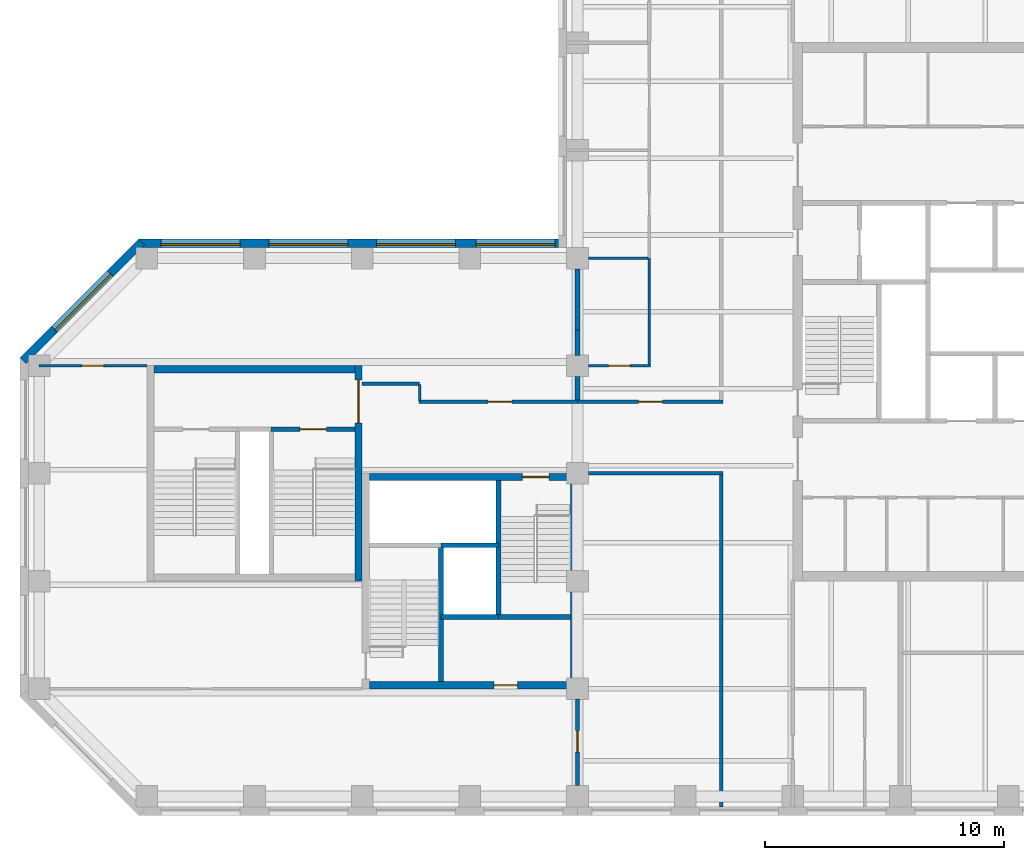
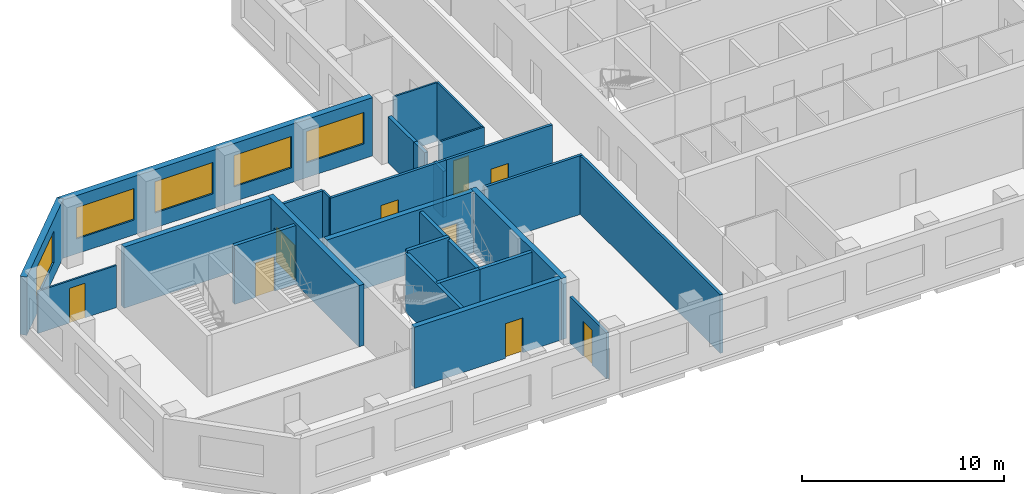
# One storey, part 3 of 10: 27 walls, 9 doors, 5 windows, 14 openings.
"""IFC4 building model written with IfcOpenShell, lengths in metres."""

from ifc_helpers import new_model, si_unit, direction, frame, frame_2d, origin, place, context, subcontext, project, spatial, rectangle, extrude, material, layer, layer_set, constituent, constituent_set, type_object, element, fill, save


model = new_model("IFC4")

# Units and contexts
model_context = context("Model", 3, precision=1e-05, world=origin(), true_north=direction((0.0, 1.0)))
body_context = subcontext(model_context, "Body", "Model", "MODEL_VIEW")
ifc_project = project(units=[si_unit("LENGTHUNIT", "METRE"), si_unit("AREAUNIT", "SQUARE_METRE"), si_unit("VOLUMEUNIT", "CUBIC_METRE"), si_unit("PLANEANGLEUNIT", "RADIAN"), si_unit("MASSUNIT", "GRAM", prefix="KILO")], contexts=[model_context])

# Site, building, storey
site_placement = place(None, origin())
site = spatial("IfcSite", under=ifc_project, at=site_placement, CompositionType="ELEMENT")
building_placement = place(site_placement, origin())
building = spatial("IfcBuilding", under=site, at=building_placement, Name="Quoin Convention Tower", CompositionType="ELEMENT")
storey_placement = place(building_placement, frame((0.0, 0.0, 256.300048828125)))
storey = spatial("IfcBuildingStorey", under=building, at=storey_placement, Name="L67", CompositionType="ELEMENT", Elevation=256.300048828125)

# Wall, openings, windows
ifc_material_1 = material(Name="Brick masonry", Category="masonry")
ifc_layer_1 = layer(ifc_material_1, 0.35009765625)
ifc_layer_set_1 = layer_set([ifc_layer_1], Name="Brick masonry")
wall_type_1 = type_object("IfcWallType", Name="Brick facade wall", PredefinedType="STANDARD", material=ifc_layer_set_1)
wall_1_placement = place(storey_placement, frame((35.550048828125, 63.625, 0.0), z_axis=(0.0, 0.0, 1.0), x_axis=(-1.0, 0.0, 0.0)))
wall_1 = element("IfcWall", 1, at=wall_1_placement, inside=storey, type_object=wall_type_1, Name="fw-L67-36000_63000", PredefinedType="STANDARD", context=body_context, shape_type="SweptSolid", body=[
    extrude(rectangle(XDim=17.88134765625, YDim=0.35009765625, at=frame_2d((8.940673828125, 0.0))), origin(), (0.0, 0.0, 1.0), 3.52490234375),
])
opening_1_placement = place(wall_1_placement, frame((0.5, 0.0, 0.89990234375)))
opening_1 = element("IfcOpeningElement", 2, at=opening_1_placement, cuts=wall_1, Name="Opening W-02", PredefinedType="OPENING", context=body_context, shape_type="SweptSolid", body=[
    extrude(rectangle(XDim=3.300048828125, YDim=1.89990234375, at=frame_2d((1.64990234375, 0.949951171875))), frame((0.0, 0.18505859375, 0.0), z_axis=(0.0, -1.0, 0.0), x_axis=(1.0, 0.0, 0.0)), (0.0, 0.0, 1.0), 0.3701171875),
])
opening_2_placement = place(wall_1_placement, frame((4.64990234375, 0.0, 0.89990234375)))
opening_2 = element("IfcOpeningElement", 3, at=opening_2_placement, cuts=wall_1, Name="Opening W-02", PredefinedType="OPENING", context=body_context, shape_type="SweptSolid", body=[
    extrude(rectangle(XDim=3.300048828125, YDim=1.89990234375, at=frame_2d((1.64990234375, 0.949951171875))), frame((0.0, 0.18505859375, 0.0), z_axis=(0.0, -1.0, 0.0), x_axis=(1.0, 0.0, 0.0)), (0.0, 0.0, 1.0), 0.3701171875),
])
opening_3_placement = place(wall_1_placement, frame((9.14990234375, 0.0, 0.89990234375)))
opening_3 = element("IfcOpeningElement", 4, at=opening_3_placement, cuts=wall_1, Name="Opening W-02", PredefinedType="OPENING", context=body_context, shape_type="SweptSolid", body=[
    extrude(rectangle(XDim=3.300048828125, YDim=1.89990234375, at=frame_2d((1.64990234375, 0.949951171875))), frame((0.0, 0.18505859375, 0.0), z_axis=(0.0, -1.0, 0.0), x_axis=(1.0, 0.0, 0.0)), (0.0, 0.0, 1.0), 0.3701171875),
])
opening_4_placement = place(wall_1_placement, frame((13.64990234375, 0.0, 0.89990234375)))
opening_4 = element("IfcOpeningElement", 5, at=opening_4_placement, cuts=wall_1, Name="Opening W-02", PredefinedType="OPENING", context=body_context, shape_type="SweptSolid", body=[
    extrude(rectangle(XDim=3.300048828125, YDim=1.89990234375, at=frame_2d((1.64990234375, 0.949951171875))), frame((0.0, 0.18505859375, 0.0), z_axis=(0.0, -1.0, 0.0), x_axis=(1.0, 0.0, 0.0)), (0.0, 0.0, 1.0), 0.3701171875),
])
ifc_material_2 = material(Name="Aluminium", Category="aluminium")
ifc_constituent_1 = constituent(ifc_material_2, Name="Frame")
ifc_material_3 = material(Name="Insulated glass", Category="glass")
ifc_constituent_2 = constituent(ifc_material_3, Name="Glazing")
ifc_constituent_set = constituent_set(constituents=[ifc_constituent_1, ifc_constituent_2], Name="Aluminium")
window_type = type_object("IfcWindowType", Name="Office window", PartitioningType="DOUBLE_PANEL_VERTICAL", PredefinedType="WINDOW", material=ifc_constituent_set)
window_1_placement = place(opening_1_placement, origin())
window_1 = element("IfcWindow", 6, at=window_1_placement, inside=storey, type_object=window_type, Name="win-L67-33750_63625", OverallHeight=1.89990234375, OverallWidth=3.300048828125, PartitioningType="SINGLE_PANEL", PredefinedType="WINDOW", context=body_context, shape_type="SweptSolid", body=[
    extrude(rectangle(XDim=3.300048828125, YDim=1.89990234375, at=frame_2d((1.64990234375, 0.949951171875))), frame((0.0, 0.0849609375, 0.0), z_axis=(0.0, -1.0, 0.0), x_axis=(1.0, 0.0, 0.0)), (0.0, 0.0, 1.0), 0.06005859375),
])
fill(opening_1, window_1)
window_2_placement = place(opening_2_placement, origin())
window_2 = element("IfcWindow", 7, at=window_2_placement, inside=storey, type_object=window_type, Name="win-L67-29250_63625", OverallHeight=1.89990234375, OverallWidth=3.300048828125, PartitioningType="SINGLE_PANEL", PredefinedType="WINDOW", context=body_context, shape_type="SweptSolid", body=[
    extrude(rectangle(XDim=3.300048828125, YDim=1.89990234375, at=frame_2d((1.64990234375, 0.949951171875))), frame((0.0, 0.0849609375, 0.0), z_axis=(0.0, -1.0, 0.0), x_axis=(1.0, 0.0, 0.0)), (0.0, 0.0, 1.0), 0.06005859375),
])
fill(opening_2, window_2)
window_3_placement = place(opening_3_placement, origin())
window_3 = element("IfcWindow", 8, at=window_3_placement, inside=storey, type_object=window_type, Name="win-L67-24750_63625", OverallHeight=1.89990234375, OverallWidth=3.300048828125, PartitioningType="SINGLE_PANEL", PredefinedType="WINDOW", context=body_context, shape_type="SweptSolid", body=[
    extrude(rectangle(XDim=3.300048828125, YDim=1.89990234375, at=frame_2d((1.64990234375, 0.949951171875))), frame((0.0, 0.0849609375, 0.0), z_axis=(0.0, -1.0, 0.0), x_axis=(1.0, 0.0, 0.0)), (0.0, 0.0, 1.0), 0.06005859375),
])
fill(opening_3, window_3)
window_4_placement = place(opening_4_placement, origin())
window_4 = element("IfcWindow", 9, at=window_4_placement, inside=storey, type_object=window_type, Name="win-L67-20250_63625", OverallHeight=1.89990234375, OverallWidth=3.300048828125, PartitioningType="SINGLE_PANEL", PredefinedType="WINDOW", context=body_context, shape_type="SweptSolid", body=[
    extrude(rectangle(XDim=3.300048828125, YDim=1.89990234375, at=frame_2d((1.64990234375, 0.949951171875))), frame((0.0, 0.0849609375, 0.0), z_axis=(0.0, -1.0, 0.0), x_axis=(1.0, 0.0, 0.0)), (0.0, 0.0, 1.0), 0.06005859375),
])
fill(opening_4, window_4)

# Wall, opening, window
wall_2_placement = place(storey_placement, frame((17.79248046875, 63.67626953125, 0.0), z_axis=(0.0, 0.0, 1.0), x_axis=(-0.707106781187, -0.707106781187, 0.0)))
wall_2 = element("IfcWall", 10, at=wall_2_placement, inside=storey, type_object=wall_type_1, Name="fw-L67-18000_63000", PredefinedType="STANDARD", context=body_context, shape_type="SweptSolid", body=[
    extrude(rectangle(XDim=7.02685546875, YDim=0.35009765625, at=frame_2d((3.513427734375, 0.0))), origin(), (0.0, 0.0, 1.0), 3.52490234375),
])
opening_5_placement = place(wall_2_placement, frame((1.86328125, 0.0, 0.89990234375)))
opening_5 = element("IfcOpeningElement", 11, at=opening_5_placement, cuts=wall_2, Name="Opening W-02", PredefinedType="OPENING", context=body_context, shape_type="SweptSolid", body=[
    extrude(rectangle(XDim=3.300048828125, YDim=1.89990234375, at=frame_2d((1.64990234375, 0.949951171875))), frame((0.0, 0.18505859375, 0.0), z_axis=(0.0, -1.0, 0.0), x_axis=(1.0, 0.0, 0.0)), (0.0, 0.0, 1.0), 0.3701171875),
])
window_5_placement = place(opening_5_placement, origin())
window_5 = element("IfcWindow", 12, at=window_5_placement, inside=storey, type_object=window_type, Name="win-L67-15308_61192", OverallHeight=1.89990234375, OverallWidth=3.300048828125, PartitioningType="SINGLE_PANEL", PredefinedType="WINDOW", context=body_context, shape_type="SweptSolid", body=[
    extrude(rectangle(XDim=3.300048828125, YDim=1.89990234375, at=frame_2d((1.64990234375, 0.949951171875))), frame((0.0, 0.0849609375, 0.0), z_axis=(0.0, -1.0, 0.0), x_axis=(1.0, 0.0, 0.0)), (0.0, 0.0, 1.0), 0.06005859375),
])
fill(opening_5, window_5)

# Walls
ifc_material_4 = material(Name="Concrete C50", Category="concrete")
ifc_layer_2 = layer(ifc_material_4, 0.199951171875)
ifc_layer_set_2 = layer_set([ifc_layer_2], Name="Concrete C50")
wall_type_2 = type_object("IfcWallType", Name="Core shaft wall", PredefinedType="SOLIDWALL", material=ifc_layer_set_2)
wall_3_placement = place(storey_placement, frame((30.300048828125, 48.0, 0.0), z_axis=(0.0, 0.0, 1.0), x_axis=(1.0, 0.0, 0.0)))
element("IfcWall", 13, at=wall_3_placement, inside=storey, type_object=wall_type_2, Name="cr-P2-L67-h3000_3300", PredefinedType="SOLIDWALL", context=body_context, shape_type="SweptSolid", body=[
    extrude(rectangle(XDim=2.39990234375, YDim=0.199951171875, at=frame_2d((1.199951171875, 0.0))), origin(), (0.0, 0.0, 1.0), 3.550048828125),
])
wall_4_placement = place(storey_placement, frame((32.699951171875, 48.0, 0.0), z_axis=(0.0, 0.0, 1.0), x_axis=(1.0, 0.0, 0.0)))
element("IfcWall", 14, at=wall_4_placement, inside=storey, type_object=wall_type_2, Name="cr-P2-L67-h3000_5700", PredefinedType="SOLIDWALL", context=body_context, shape_type="SweptSolid", body=[
    extrude(rectangle(XDim=3.0, YDim=0.199951171875, at=frame_2d((1.5, 0.0))), origin(), (0.0, 0.0, 1.0), 3.550048828125),
])
for number, where, z_axis, x_axis, name in (
    (15, (30.300048828125, 45.300048828125, 0.0), (0.0, 0.0, 1.0), (0.0, 1.0, 0.0), "cr-P2-L67-v3300_300"),
    (16, (32.699951171875, 48.0, 0.0), (0.0, 0.0, 1.0), (0.0, 1.0, 0.0), "cr-P2-L67-v5700_3000"),
):
    element("IfcWall", number, at=place(storey_placement, frame(where, z_axis=z_axis, x_axis=x_axis)), inside=storey, type_object=wall_type_2, Name=name, PredefinedType="SOLIDWALL", context=body_context, shape_type="SweptSolid", body=[
        extrude(rectangle(XDim=5.699951171875, YDim=0.199951171875, at=frame_2d((2.85009765625, 0.0))), origin(), (0.0, 0.0, 1.0), 3.550048828125),
    ])

# Wall, opening, door
wall_5_placement = place(storey_placement, frame((23.199951171875, 55.85009765625, 0.0), z_axis=(0.0, 0.0, 1.0), x_axis=(1.0, 0.0, 0.0)))
wall_5 = element("IfcWall", 17, at=wall_5_placement, inside=storey, type_object=wall_type_2, Name="cr-P6-L67-h6350_5200", PredefinedType="SOLIDWALL", context=body_context, shape_type="SweptSolid", body=[
    extrude(rectangle(XDim=3.5, YDim=0.199951171875, at=frame_2d((1.75, 0.0))), origin(), (0.0, 0.0, 1.0), 3.550048828125),
])
opening_6_placement = place(wall_5_placement, frame((1.199951171875, 0.0, 0.0)))
opening_6 = element("IfcOpeningElement", 18, at=opening_6_placement, cuts=wall_5, Name="Opening SD12", PredefinedType="OPENING", context=body_context, shape_type="SweptSolid", body=[
    extrude(rectangle(XDim=1.10009765625, YDim=2.10009765625, at=frame_2d((0.550048828125, 1.050048828125))), frame((0.0, 0.10986328125, 0.0), z_axis=(0.0, -1.0, 0.0), x_axis=(1.0, 0.0, 0.0)), (0.0, 0.0, 1.0), 0.219970703125),
])
ifc_material_5 = material(Name="Steel door leaf", Category="steel")
door_type_1 = type_object("IfcDoorType", Name="Stair door 1100 x 2100", OperationType="SINGLE_SWING_RIGHT", PredefinedType="DOOR", material=ifc_material_5)
door_1_placement = place(opening_6_placement, origin())
door_1 = element("IfcDoor", 19, at=door_1_placement, inside=storey, type_object=door_type_1, Name="cd-P6-L67-SB-R2-SD12", OperationType="SINGLE_SWING_RIGHT", OverallHeight=2.10009765625, OverallWidth=1.10009765625, PredefinedType="DOOR", context=body_context, shape_type="SweptSolid", body=[
    extrude(rectangle(XDim=1.10009765625, YDim=2.10009765625, at=frame_2d((0.550048828125, 1.050048828125))), frame((0.0, 0.02490234375, 0.0), z_axis=(0.0, -1.0, 0.0), x_axis=(1.0, 0.0, 0.0)), (0.0, 0.0, 1.0), 0.050048828125),
])
fill(opening_6, door_1)

# Walls
ifc_layer_3 = layer(ifc_material_4, 0.199951171875)
ifc_layer_set_3 = layer_set([ifc_layer_3], Name="Concrete C50")
wall_type_3 = type_object("IfcWallType", Name="Core shaft wall to the floor level over", PredefinedType="SOLIDWALL", material=ifc_layer_set_3)
wall_6_placement = place(storey_placement, frame((30.300048828125, 51.0, 0.0), z_axis=(0.0, 0.0, 1.0), x_axis=(1.0, 0.0, 0.0)))
element("IfcWall", 20, at=wall_6_placement, inside=storey, type_object=wall_type_3, Name="cr-P2-L67-h6000_3300", PredefinedType="SOLIDWALL", context=body_context, shape_type="SweptSolid", body=[
    extrude(rectangle(XDim=2.39990234375, YDim=0.199951171875, at=frame_2d((1.199951171875, 0.0))), origin(), (0.0, 0.0, 1.0), 3.699951171875),
])
ifc_material_6 = material(Name="Plasterboard")
ifc_layer_4 = layer(ifc_material_6, 0.012451171875, Name="Finish")
ifc_material_7 = material(Name="Steel stud framing", Category="steel")
ifc_layer_5 = layer(ifc_material_7, 0.125, Name="Structure")
ifc_layer_6 = layer(ifc_material_6, 0.012451171875, Name="Finish")
ifc_layer_set_4 = layer_set([ifc_layer_4, ifc_layer_5, ifc_layer_6], Name="Steel stud framing")
wall_type_4 = type_object("IfcWallType", Name="Corridor wall 150", PredefinedType="PARTITIONING", material=ifc_layer_set_4)
wall_7_placement = place(storey_placement, frame((36.449951171875, 54.0, 0.0), z_axis=(0.0, 0.0, 1.0), x_axis=(1.0, 0.0, 0.0)))
element("IfcWall", 21, at=wall_7_placement, inside=storey, type_object=wall_type_4, Name="pw-L67-013", PredefinedType="PARTITIONING", context=body_context, shape_type="SweptSolid", body=[
    extrude(rectangle(XDim=5.625, YDim=0.14990234375, at=frame_2d((2.8125, 0.0))), origin(), (0.0, 0.0, 1.0), 3.550048828125),
])

# Wall, opening, door
wall_8_placement = place(storey_placement, frame((29.3798828125, 57.0, 0.0), z_axis=(0.0, 0.0, 1.0), x_axis=(1.0, 0.0, 0.0)))
wall_8 = element("IfcWall", 22, at=wall_8_placement, inside=storey, type_object=wall_type_4, Name="pw-L67-015", PredefinedType="PARTITIONING", context=body_context, shape_type="SweptSolid", body=[
    extrude(rectangle(XDim=6.6201171875, YDim=0.14990234375, at=frame_2d((3.31005859375, 0.0))), origin(), (0.0, 0.0, 1.0), 3.550048828125),
])
opening_7_placement = place(wall_8_placement, frame((2.8798828125, 0.0, 0.0)))
opening_7 = element("IfcOpeningElement", 23, at=opening_7_placement, cuts=wall_8, Name="Opening DOHX-03", PredefinedType="OPENING", context=body_context, shape_type="SweptSolid", body=[
    extrude(rectangle(XDim=1.0, YDim=2.10009765625, at=frame_2d((0.5, 1.050048828125))), frame((0.0, 0.0849609375, 0.0), z_axis=(0.0, -1.0, 0.0), x_axis=(1.0, 0.0, 0.0)), (0.0, 0.0, 1.0), 0.169921875),
])
door_type_2 = type_object("IfcDoorType", Name="Tenancy entrance door 1000 x 2100", OperationType="DOUBLE_DOOR_SINGLE_SWING", PredefinedType="DOOR", material=ifc_material_5)
door_2_placement = place(opening_7_placement, origin())
door_2 = element("IfcDoor", 24, at=door_2_placement, inside=storey, type_object=door_type_2, Name="dr-L67-w01", OperationType="DOUBLE_DOOR_SINGLE_SWING", OverallHeight=2.10009765625, OverallWidth=1.0, PredefinedType="DOOR", context=body_context, shape_type="SweptSolid", body=[
    extrude(rectangle(XDim=1.0, YDim=2.10009765625, at=frame_2d((0.5, 1.050048828125))), frame((0.0, 0.02490234375, 0.0), z_axis=(0.0, -1.0, 0.0), x_axis=(1.0, 0.0, 0.0)), (0.0, 0.0, 1.0), 0.050048828125),
])
fill(opening_7, door_2)

wall_9_placement = place(storey_placement, frame((36.0, 57.0, 0.0), z_axis=(0.0, 0.0, 1.0), x_axis=(1.0, 0.0, 0.0)))
wall_9 = element("IfcWall", 25, at=wall_9_placement, inside=storey, type_object=wall_type_4, Name="pw-L67-016", PredefinedType="PARTITIONING", context=body_context, shape_type="SweptSolid", body=[
    extrude(rectangle(XDim=6.074951171875, YDim=0.14990234375, at=frame_2d((3.03759765625, 0.0))), origin(), (0.0, 0.0, 1.0), 3.550048828125),
])
opening_8_placement = place(wall_9_placement, frame((2.550048828125, 0.0, 0.0)))
opening_8 = element("IfcOpeningElement", 26, at=opening_8_placement, cuts=wall_9, Name="Opening DOHX-04", PredefinedType="OPENING", context=body_context, shape_type="SweptSolid", body=[
    extrude(rectangle(XDim=1.0, YDim=2.10009765625, at=frame_2d((0.5, 1.050048828125))), frame((0.0, 0.0849609375, 0.0), z_axis=(0.0, -1.0, 0.0), x_axis=(1.0, 0.0, 0.0)), (0.0, 0.0, 1.0), 0.169921875),
])
door_3_placement = place(opening_8_placement, origin())
door_3 = element("IfcDoor", 27, at=door_3_placement, inside=storey, type_object=door_type_2, Name="dr-L67-11", OperationType="DOUBLE_DOOR_SINGLE_SWING", OverallHeight=2.10009765625, OverallWidth=1.0, PredefinedType="DOOR", context=body_context, shape_type="SweptSolid", body=[
    extrude(rectangle(XDim=1.0, YDim=2.10009765625, at=frame_2d((0.5, 1.050048828125))), frame((0.0, 0.02490234375, 0.0), z_axis=(0.0, -1.0, 0.0), x_axis=(1.0, 0.0, 0.0)), (0.0, 0.0, 1.0), 0.050048828125),
])
fill(opening_8, door_3)

# Walls
wall_10_placement = place(storey_placement, frame((42.0, 40.050048828125, 0.0), z_axis=(0.0, 0.0, 1.0), x_axis=(0.0, 1.0, 0.0)))
element("IfcWall", 28, at=wall_10_placement, inside=storey, type_object=wall_type_4, Name="pw-L67-035", PredefinedType="PARTITIONING", context=body_context, shape_type="SweptSolid", body=[
    extrude(rectangle(XDim=13.875, YDim=0.14990234375, at=frame_2d((6.9375, 0.0))), origin(), (0.0, 0.0, 1.0), 3.550048828125),
])
wall_11_placement = place(storey_placement, frame((27.0, 57.75, 0.0), z_axis=(0.0, 0.0, 1.0), x_axis=(1.0, 0.0, 0.0)))
element("IfcWall", 29, at=wall_11_placement, inside=storey, type_object=wall_type_4, Name="pw-L67-w03", PredefinedType="PARTITIONING", context=body_context, shape_type="SweptSolid", body=[
    extrude(rectangle(XDim=2.39990234375, YDim=0.14990234375, at=frame_2d((1.199951171875, 0.0))), origin(), (0.0, 0.0, 1.0), 3.550048828125),
])

# Wall, opening, door
ifc_layer_7 = layer(ifc_material_6, 0.012451171875, Name="Finish")
ifc_layer_8 = layer(ifc_material_7, 0.125, Name="Structure")
ifc_layer_9 = layer(ifc_material_6, 0.012451171875, Name="Finish")
ifc_layer_set_5 = layer_set([ifc_layer_7, ifc_layer_8, ifc_layer_9], Name="Steel stud framing")
wall_type_5 = type_object("IfcWallType", Name="Corridor wall 150 under beam 750", PredefinedType="PARTITIONING", material=ifc_layer_set_5)
wall_12_placement = place(storey_placement, frame((36.0, 40.949951171875, 0.0), z_axis=(0.0, 0.0, 1.0), x_axis=(0.0, 1.0, 0.0)))
wall_12 = element("IfcWall", 30, at=wall_12_placement, inside=storey, type_object=wall_type_5, Name="pw-L67-042", PredefinedType="PARTITIONING", context=body_context, shape_type="SweptSolid", body=[
    extrude(rectangle(XDim=3.630126953125, YDim=0.14990234375, at=frame_2d((1.81494140625, 0.0))), origin(), (0.0, 0.0, 1.0), 2.800048828125),
])
opening_9_placement = place(wall_12_placement, frame((1.39990234375, 0.0, 0.0)))
opening_9 = element("IfcOpeningElement", 31, at=opening_9_placement, cuts=wall_12, Name="Opening DOHX-12", PredefinedType="OPENING", context=body_context, shape_type="SweptSolid", body=[
    extrude(rectangle(XDim=0.89990234375, YDim=2.10009765625, at=frame_2d((0.449951171875, 1.050048828125))), frame((0.0, 0.0849609375, 0.0), z_axis=(0.0, -1.0, 0.0), x_axis=(1.0, 0.0, 0.0)), (0.0, 0.0, 1.0), 0.169921875),
])
door_type_3 = type_object("IfcDoorType", Name="Office door 900 x 2100", OperationType="SINGLE_SWING_RIGHT", PredefinedType="DOOR", material=ifc_material_5)
door_4_placement = place(opening_9_placement, origin())
door_4 = element("IfcDoor", 32, at=door_4_placement, inside=storey, type_object=door_type_3, Name="dr-L67-01", OperationType="SINGLE_SWING_RIGHT", OverallHeight=2.10009765625, OverallWidth=0.89990234375, PredefinedType="DOOR", context=body_context, shape_type="SweptSolid", body=[
    extrude(rectangle(XDim=0.89990234375, YDim=2.10009765625, at=frame_2d((0.449951171875, 1.050048828125))), frame((0.0, 0.02490234375, 0.0), z_axis=(0.0, -1.0, 0.0), x_axis=(1.0, 0.0, 0.0)), (0.0, 0.0, 1.0), 0.050048828125),
])
fill(opening_9, door_4)

ifc_layer_10 = layer(ifc_material_4, 0.300048828125)
ifc_layer_set_6 = layer_set([ifc_layer_10], Name="Concrete C50")
wall_type_6 = type_object("IfcWallType", Name="RC CORE WALL 300 C50", PredefinedType="SHEAR", material=ifc_layer_set_6)
wall_13_placement = place(storey_placement, frame((27.300048828125, 45.14990234375, 0.0), z_axis=(0.0, 0.0, 1.0), x_axis=(1.0, 0.0, 0.0)))
wall_13 = element("IfcWall", 33, at=wall_13_placement, inside=storey, type_object=wall_type_6, Name="cwl-P2-L67-S", PredefinedType="SHEAR", context=body_context, shape_type="SweptSolid", body=[
    extrude(rectangle(XDim=8.39990234375, YDim=0.300048828125, at=frame_2d((4.199951171875, 0.0))), origin(), (0.0, 0.0, 1.0), 3.699951171875),
])
opening_10_placement = place(wall_13_placement, frame((5.199951171875, 0.0, 0.0)))
opening_10 = element("IfcOpeningElement", 34, at=opening_10_placement, cuts=wall_13, Name="Opening DCV5-51", PredefinedType="OPENING", context=body_context, shape_type="SweptSolid", body=[
    extrude(rectangle(XDim=1.0, YDim=2.10009765625, at=frame_2d((0.5, 1.050048828125))), frame((0.0, 0.159912109375, 0.0), z_axis=(0.0, -1.0, 0.0), x_axis=(1.0, 0.0, 0.0)), (0.0, 0.0, 1.0), 0.320068359375),
])
door_type_4 = type_object("IfcDoorType", Name="Service door 1000 x 2100", OperationType="SINGLE_SWING_LEFT", PredefinedType="DOOR", material=ifc_material_5)
door_5_placement = place(opening_10_placement, frame((1.0, 0.0, 0.0), z_axis=(0.0, 0.0, 1.0), x_axis=(-1.0, 0.0, 0.0)))
door_5 = element("IfcDoor", 35, at=door_5_placement, inside=storey, type_object=door_type_4, Name="cd-P2-L67-R2-S", OperationType="SINGLE_SWING_LEFT", OverallHeight=2.10009765625, OverallWidth=1.0, PredefinedType="DOOR", context=body_context, shape_type="SweptSolid", body=[
    extrude(rectangle(XDim=1.0, YDim=2.10009765625, at=frame_2d((0.5, 1.050048828125))), frame((0.0, 0.02490234375, 0.0), z_axis=(0.0, -1.0, 0.0), x_axis=(1.0, 0.0, 0.0)), (0.0, 0.0, 1.0), 0.050048828125),
])
fill(opening_10, door_5)

wall_14_placement = place(storey_placement, frame((27.300048828125, 53.85009765625, 0.0), z_axis=(0.0, 0.0, 1.0), x_axis=(1.0, 0.0, 0.0)))
wall_14 = element("IfcWall", 36, at=wall_14_placement, inside=storey, type_object=wall_type_6, Name="cwl-P2-L67-N", PredefinedType="SHEAR", context=body_context, shape_type="SweptSolid", body=[
    extrude(rectangle(XDim=8.39990234375, YDim=0.300048828125, at=frame_2d((4.199951171875, 0.0))), origin(), (0.0, 0.0, 1.0), 3.699951171875),
])
opening_11_placement = place(wall_14_placement, frame((6.39990234375, 0.0, 0.0)))
opening_11 = element("IfcOpeningElement", 37, at=opening_11_placement, cuts=wall_14, Name="Opening SD4", PredefinedType="OPENING", context=body_context, shape_type="SweptSolid", body=[
    extrude(rectangle(XDim=1.10009765625, YDim=2.10009765625, at=frame_2d((0.550048828125, 1.050048828125))), frame((0.0, 0.159912109375, 0.0), z_axis=(0.0, -1.0, 0.0), x_axis=(1.0, 0.0, 0.0)), (0.0, 0.0, 1.0), 0.320068359375),
])
door_6_placement = place(opening_11_placement, frame((1.10009765625, 0.0, 0.0), z_axis=(0.0, 0.0, 1.0), x_axis=(-1.0, 0.0, 0.0)))
door_6 = element("IfcDoor", 38, at=door_6_placement, inside=storey, type_object=door_type_1, Name="cd-P2-L67-SB-N", OperationType="SINGLE_SWING_LEFT", OverallHeight=2.10009765625, OverallWidth=1.10009765625, PredefinedType="DOOR", context=body_context, shape_type="SweptSolid", body=[
    extrude(rectangle(XDim=1.10009765625, YDim=2.10009765625, at=frame_2d((0.550048828125, 1.050048828125))), frame((0.0, 0.02490234375, 0.0), z_axis=(0.0, -1.0, 0.0), x_axis=(1.0, 0.0, 0.0)), (0.0, 0.0, 1.0), 0.050048828125),
])
fill(opening_11, door_6)

# Walls
wall_15_placement = place(storey_placement, frame((35.85009765625, 45.0, 0.0), z_axis=(0.0, 0.0, 1.0), x_axis=(0.0, 1.0, 0.0)))
element("IfcWall", 39, at=wall_15_placement, inside=storey, type_object=wall_type_6, Name="cwl-P2-L67-E", PredefinedType="SHEAR", context=body_context, shape_type="SweptSolid", body=[
    extrude(rectangle(XDim=9.0, YDim=0.300048828125, at=frame_2d((4.5, 0.0))), origin(), (0.0, 0.0, 1.0), 3.699951171875),
])
wall_16_placement = place(storey_placement, frame((18.300048828125, 58.35009765625, 0.0), z_axis=(0.0, 0.0, 1.0), x_axis=(1.0, 0.0, 0.0)))
element("IfcWall", 40, at=wall_16_placement, inside=storey, type_object=wall_type_6, Name="cwl-P6-L67-N", PredefinedType="SHEAR", context=body_context, shape_type="SweptSolid", body=[
    extrude(rectangle(XDim=8.39990234375, YDim=0.300048828125, at=frame_2d((4.199951171875, 0.0))), origin(), (0.0, 0.0, 1.0), 3.699951171875),
])

# Wall, opening, door
wall_17_placement = place(storey_placement, frame((26.85009765625, 49.5, 0.0), z_axis=(0.0, 0.0, 1.0), x_axis=(0.0, 1.0, 0.0)))
wall_17 = element("IfcWall", 41, at=wall_17_placement, inside=storey, type_object=wall_type_6, Name="cwl-P6-L67-E", PredefinedType="SHEAR", context=body_context, shape_type="SweptSolid", body=[
    extrude(rectangle(XDim=9.0, YDim=0.300048828125, at=frame_2d((4.5, 0.0))), origin(), (0.0, 0.0, 1.0), 3.699951171875),
])
opening_12_placement = place(wall_17_placement, frame((6.60009765625, 0.0, 0.0)))
opening_12 = element("IfcOpeningElement", 42, at=opening_12_placement, cuts=wall_17, Name="Opening DCV5-54", PredefinedType="OPENING", context=body_context, shape_type="SweptSolid", body=[
    extrude(rectangle(XDim=1.800048828125, YDim=2.10009765625, at=frame_2d((0.89990234375, 1.050048828125))), frame((0.0, 0.159912109375, 0.0), z_axis=(0.0, -1.0, 0.0), x_axis=(1.0, 0.0, 0.0)), (0.0, 0.0, 1.0), 0.320068359375),
])
door_type_5 = type_object("IfcDoorType", Name="Goods lobby door 1800 x 2100", OperationType="SINGLE_SWING_LEFT", PredefinedType="DOOR", material=ifc_material_5)
door_7_placement = place(opening_12_placement, origin())
door_7 = element("IfcDoor", 43, at=door_7_placement, inside=storey, type_object=door_type_5, Name="cd-P6-L67-R2-E", OperationType="SINGLE_SWING_LEFT", OverallHeight=2.10009765625, OverallWidth=1.800048828125, PredefinedType="DOOR", context=body_context, shape_type="SweptSolid", body=[
    extrude(rectangle(XDim=1.800048828125, YDim=2.10009765625, at=frame_2d((0.89990234375, 1.050048828125))), frame((0.0, 0.02490234375, 0.0), z_axis=(0.0, -1.0, 0.0), x_axis=(1.0, 0.0, 0.0)), (0.0, 0.0, 1.0), 0.050048828125),
])
fill(opening_12, door_7)

ifc_layer_11 = layer(ifc_material_6, 0.012451171875, Name="Finish")
ifc_layer_12 = layer(ifc_material_7, 0.074951171875, Name="Structure")
ifc_layer_13 = layer(ifc_material_6, 0.012451171875, Name="Finish")
ifc_layer_set_7 = layer_set([ifc_layer_11, ifc_layer_12, ifc_layer_13], Name="Steel stud framing")
wall_type_7 = type_object("IfcWallType", Name="Stud partition 100", PredefinedType="PARTITIONING", material=ifc_layer_set_7)
wall_18_placement = place(storey_placement, frame((36.449951171875, 58.5, 0.0), z_axis=(0.0, 0.0, 1.0), x_axis=(1.0, 0.0, 0.0)))
wall_18 = element("IfcWall", 44, at=wall_18_placement, inside=storey, type_object=wall_type_7, Name="pw-L67-018", PredefinedType="PARTITIONING", context=body_context, shape_type="SweptSolid", body=[
    extrude(rectangle(XDim=2.60009765625, YDim=0.10009765625, at=frame_2d((1.300048828125, 0.0))), origin(), (0.0, 0.0, 1.0), 3.550048828125),
])
opening_13_placement = place(wall_18_placement, frame((0.85009765625, 0.0, 0.0)))
opening_13 = element("IfcOpeningElement", 45, at=opening_13_placement, cuts=wall_18, Name="Opening DOHX-05", PredefinedType="OPENING", context=body_context, shape_type="SweptSolid", body=[
    extrude(rectangle(XDim=0.89990234375, YDim=2.10009765625, at=frame_2d((0.449951171875, 1.050048828125))), frame((0.0, 0.06005859375, 0.0), z_axis=(0.0, -1.0, 0.0), x_axis=(1.0, 0.0, 0.0)), (0.0, 0.0, 1.0), 0.1201171875),
])
door_8_placement = place(opening_13_placement, frame((0.89990234375, 0.0, 0.0), z_axis=(0.0, 0.0, 1.0), x_axis=(-1.0, 0.0, 0.0)))
door_8 = element("IfcDoor", 46, at=door_8_placement, inside=storey, type_object=door_type_3, Name="dr-L67-12", OperationType="SINGLE_SWING_LEFT", OverallHeight=2.10009765625, OverallWidth=0.89990234375, PredefinedType="DOOR", context=body_context, shape_type="SweptSolid", body=[
    extrude(rectangle(XDim=0.89990234375, YDim=2.10009765625, at=frame_2d((0.449951171875, 1.050048828125))), frame((0.0, 0.02490234375, 0.0), z_axis=(0.0, -1.0, 0.0), x_axis=(1.0, 0.0, 0.0)), (0.0, 0.0, 1.0), 0.050048828125),
])
fill(opening_13, door_8)

# Walls
wall_19_placement = place(storey_placement, frame((36.449951171875, 63.0, 0.0), z_axis=(0.0, 0.0, 1.0), x_axis=(1.0, 0.0, 0.0)))
element("IfcWall", 47, at=wall_19_placement, inside=storey, type_object=wall_type_7, Name="pw-L67-023", PredefinedType="PARTITIONING", context=body_context, shape_type="SweptSolid", body=[
    extrude(rectangle(XDim=2.5, YDim=0.10009765625, at=frame_2d((1.25, 0.0))), origin(), (0.0, 0.0, 1.0), 3.550048828125),
])
wall_20_placement = place(storey_placement, frame((39.0, 58.550048828125, 0.0), z_axis=(0.0, 0.0, 1.0), x_axis=(0.0, 1.0, 0.0)))
element("IfcWall", 48, at=wall_20_placement, inside=storey, type_object=wall_type_7, Name="pw-L67-061", PredefinedType="PARTITIONING", context=body_context, shape_type="SweptSolid", body=[
    extrude(rectangle(XDim=4.449951171875, YDim=0.10009765625, at=frame_2d((2.22509765625, 0.0))), origin(), (0.0, 0.0, 1.0), 3.550048828125),
])
wall_21_placement = place(storey_placement, frame((29.39990234375, 57.715087890625, 0.0), z_axis=(0.0, 0.0, 1.0), x_axis=(0.0, -1.0, 0.0)))
element("IfcWall", 49, at=wall_21_placement, inside=storey, type_object=wall_type_7, Name="pw-L67-w04", PredefinedType="PARTITIONING", context=body_context, shape_type="SweptSolid", body=[
    extrude(rectangle(XDim=0.68017578125, YDim=0.10009765625, at=frame_2d((0.340087890625, 0.0))), origin(), (0.0, 0.0, 1.0), 3.550048828125),
])

# Wall, opening, door
ifc_layer_14 = layer(ifc_material_6, 0.012451171875, Name="Finish")
ifc_layer_15 = layer(ifc_material_7, 0.074951171875, Name="Structure")
ifc_layer_16 = layer(ifc_material_6, 0.012451171875, Name="Finish")
ifc_layer_set_8 = layer_set([ifc_layer_14, ifc_layer_15, ifc_layer_16], Name="Steel stud framing")
wall_type_8 = type_object("IfcWallType", Name="Stud partition 100 under beam 1000", PredefinedType="PARTITIONING", material=ifc_layer_set_8)
wall_22_placement = place(storey_placement, frame((13.5, 58.5, 0.0), z_axis=(0.0, 0.0, 1.0), x_axis=(1.0, 0.0, 0.0)))
wall_22 = element("IfcWall", 50, at=wall_22_placement, inside=storey, type_object=wall_type_8, Name="pw-L67-w01", PredefinedType="PARTITIONING", context=body_context, shape_type="SweptSolid", body=[
    extrude(rectangle(XDim=4.5, YDim=0.10009765625, at=frame_2d((2.25, 0.0))), origin(), (0.0, 0.0, 1.0), 2.550048828125),
])
opening_14_placement = place(wall_22_placement, frame((1.800048828125, 0.0, 0.0)))
opening_14 = element("IfcOpeningElement", 51, at=opening_14_placement, cuts=wall_22, Name="Opening DOHX-24", PredefinedType="OPENING", context=body_context, shape_type="SweptSolid", body=[
    extrude(rectangle(XDim=0.89990234375, YDim=2.10009765625, at=frame_2d((0.449951171875, 1.050048828125))), frame((0.0, 0.06005859375, 0.0), z_axis=(0.0, -1.0, 0.0), x_axis=(1.0, 0.0, 0.0)), (0.0, 0.0, 1.0), 0.1201171875),
])
door_9_placement = place(opening_14_placement, origin())
door_9 = element("IfcDoor", 52, at=door_9_placement, inside=storey, type_object=door_type_3, Name="dr-L67-w02", OperationType="SINGLE_SWING_RIGHT", OverallHeight=2.10009765625, OverallWidth=0.89990234375, PredefinedType="DOOR", context=body_context, shape_type="SweptSolid", body=[
    extrude(rectangle(XDim=0.89990234375, YDim=2.10009765625, at=frame_2d((0.449951171875, 1.050048828125))), frame((0.0, 0.02490234375, 0.0), z_axis=(0.0, -1.0, 0.0), x_axis=(1.0, 0.0, 0.0)), (0.0, 0.0, 1.0), 0.050048828125),
])
fill(opening_14, door_9)

# Walls
ifc_layer_17 = layer(ifc_material_6, 0.012451171875, Name="Finish")
ifc_layer_18 = layer(ifc_material_7, 0.175048828125, Name="Structure")
ifc_layer_19 = layer(ifc_material_6, 0.012451171875, Name="Finish")
ifc_layer_set_9 = layer_set([ifc_layer_17, ifc_layer_18, ifc_layer_19], Name="Steel stud framing")
wall_type_9 = type_object("IfcWallType", Name="Tenancy demising wall 200 under beam 750", PredefinedType="PARTITIONING", material=ifc_layer_set_9)
wall_23_placement = place(storey_placement, frame((36.0, 57.074951171875, 0.0), z_axis=(0.0, 0.0, 1.0), x_axis=(0.0, 1.0, 0.0)))
element("IfcWall", 53, at=wall_23_placement, inside=storey, type_object=wall_type_9, Name="pw-L67-059", PredefinedType="PARTITIONING", context=body_context, shape_type="SweptSolid", body=[
    extrude(rectangle(XDim=0.97509765625, YDim=0.199951171875, at=frame_2d((0.487548828125, 0.0))), origin(), (0.0, 0.0, 1.0), 2.800048828125),
])
wall_24_placement = place(storey_placement, frame((36.0, 58.919921875, 0.0), z_axis=(0.0, 0.0, 1.0), x_axis=(0.0, 1.0, 0.0)))
element("IfcWall", 54, at=wall_24_placement, inside=storey, type_object=wall_type_9, Name="pw-L67-062", PredefinedType="PARTITIONING", context=body_context, shape_type="SweptSolid", body=[
    extrude(rectangle(XDim=1.080078125, YDim=0.199951171875, at=frame_2d((0.5400390625, 0.0))), origin(), (0.0, 0.0, 1.0), 2.800048828125),
])
wall_25_placement = place(storey_placement, frame((36.0, 60.0, 0.0), z_axis=(0.0, 0.0, 1.0), x_axis=(0.0, 1.0, 0.0)))
element("IfcWall", 55, at=wall_25_placement, inside=storey, type_object=wall_type_9, Name="pw-L67-064", PredefinedType="PARTITIONING", context=body_context, shape_type="SweptSolid", body=[
    extrude(rectangle(XDim=2.550048828125, YDim=0.199951171875, at=frame_2d((1.27490234375, 0.0))), origin(), (0.0, 0.0, 1.0), 2.800048828125),
])

save(model, "model.ifc")
